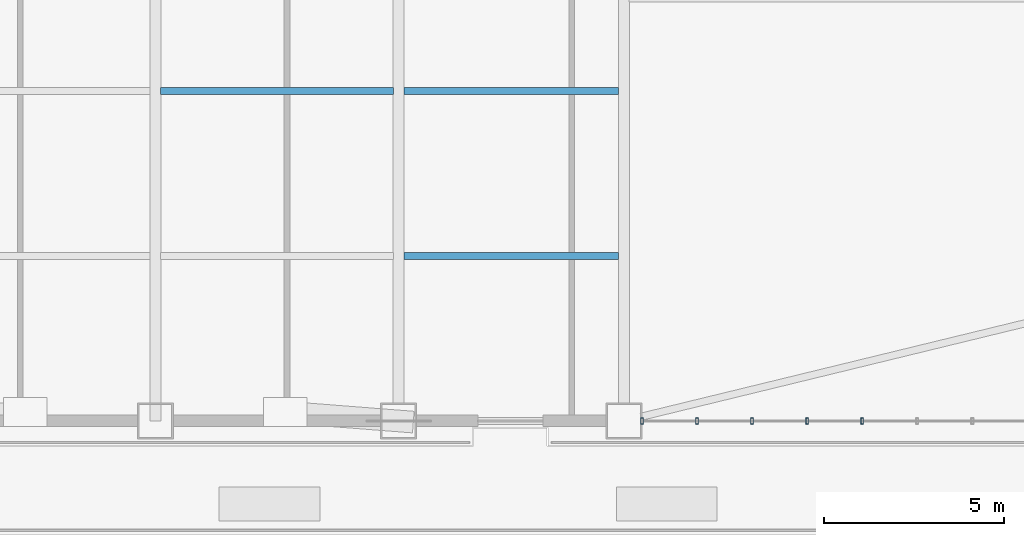
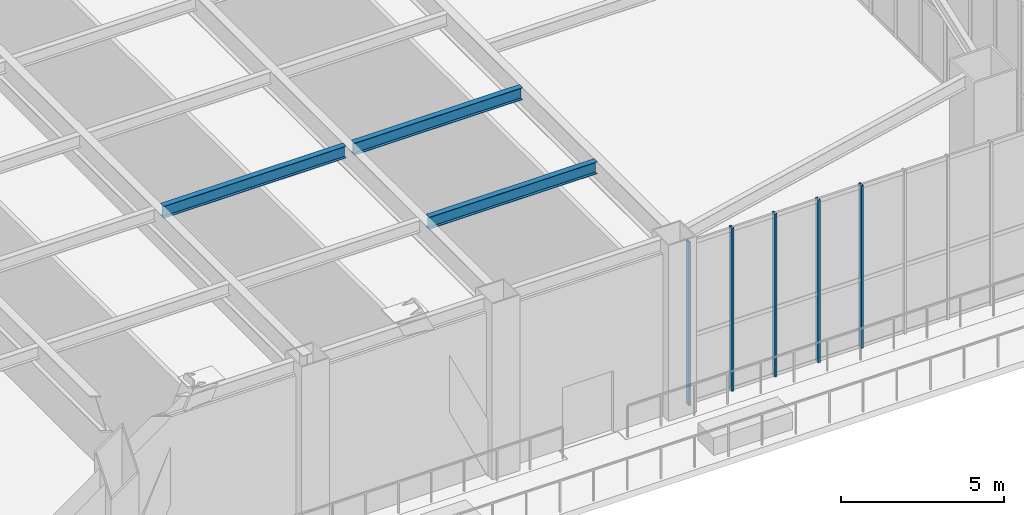
# One storey, part 7 of 22: 5 members, 3 beams, 1 element without a shape of its own.
"""IFC4 building model written with IfcOpenShell, lengths in metres."""

from ifc_helpers import new_model, si_unit, direction, frame, origin, origin_2d, place, context, subcontext, project, spatial, hollow_rectangle, i_section, extrude, source, transform, mapped, material, layer, layer_set, material_profile, profile_set, type_object, element, aggregate, save


model = new_model("IFC4")

# Units and contexts
model_context = context("Model", 3, precision=1e-05, world=origin(), true_north=direction((0.0, 1.0)))
body_context = subcontext(model_context, "Body", "Model", "MODEL_VIEW")
ifc_project = project(units=[si_unit("LENGTHUNIT", "METRE"), si_unit("AREAUNIT", "SQUARE_METRE"), si_unit("VOLUMEUNIT", "CUBIC_METRE"), si_unit("PLANEANGLEUNIT", "RADIAN"), si_unit("MASSUNIT", "GRAM", prefix="KILO")], contexts=[model_context])

# Site, building, storey
site_placement = place(None, origin())
site = spatial("IfcSite", under=ifc_project, at=site_placement, CompositionType="ELEMENT")
building_placement = place(site_placement, origin())
building = spatial("IfcBuilding", under=site, at=building_placement, Name="Giltprow Tower", CompositionType="ELEMENT")
storey_placement = place(building_placement, frame((0.0, 0.0, 72.800048828125)))
storey = spatial("IfcBuildingStorey", under=building, at=storey_placement, Name="L18", CompositionType="ELEMENT", Elevation=72.800048828125)

# Beams
ifc_material_1 = material(Name="Structural steel Q355B", Category="steel")
ifc_material_profile_1 = material_profile(ifc_material_1, i_section(OverallWidth=0.199951171875, OverallDepth=0.449951171875, WebThickness=0.009033203125, FlangeThickness=0.013916015625, at=origin_2d()), Name="HN 450x200x9x14")
ifc_profile_set_1 = profile_set([ifc_material_profile_1], Name="Structural steel Q355B")
beam_type = type_object("IfcBeamType", Name="BM-JOIST-HN450", PredefinedType="JOIST", material=ifc_profile_set_1)
shared_shape_1 = source(origin(), body_context, "Body", "SweptSolid", [
    extrude(i_section(OverallWidth=0.199951171875, OverallDepth=0.449951171875, WebThickness=0.009033203125, FlangeThickness=0.013916015625, at=origin_2d()), origin(), (0.0, 0.0, 1.0), 6.4599609375),
])
beam_placement = place(storey_placement, frame((37.695068359375, 14.56396484375, 6.35498046875), z_axis=(1.0, 0.0, 0.0), x_axis=(0.0, 1.0, 0.0)))
element("IfcBeam", 1, at=beam_placement, inside=storey, type_object=beam_type, Name="L18 Composite Floor Joist 2-3", PredefinedType="JOIST", context=body_context, shape_type="MappedRepresentation", body=[
    mapped(shared_shape_1, transform((0.0, 0.0, 0.0), x_axis=(1.0, 0.0, 0.0), y_axis=(0.0, 1.0, 0.0), z_axis=(0.0, 0.0, 1.0), scale=1.0)),
])
shared_shape_2 = source(origin(), body_context, "Body", "SweptSolid", [
    extrude(i_section(OverallWidth=0.199951171875, OverallDepth=0.449951171875, WebThickness=0.009033203125, FlangeThickness=0.013916015625, at=origin_2d()), origin(), (0.0, 0.0, 1.0), 5.9599609375),
])
for number, where, z_axis, x_axis, name in (
    (2, (44.445068359375, 9.986083984375, 6.35498046875), (1.0, 0.0, 0.0), (0.0, 1.0, 0.0), "L18 Composite Floor Joist 1-4"),
    (3, (44.445068359375, 14.56396484375, 6.35498046875), (1.0, 0.0, 0.0), (0.0, 1.0, 0.0), "L18 Composite Floor Joist 2-4"),
):
    element("IfcBeam", number, at=place(storey_placement, frame(where, z_axis=z_axis, x_axis=x_axis)), inside=storey, type_object=beam_type, Name=name, PredefinedType="JOIST", context=body_context, shape_type="MappedRepresentation", body=[
        mapped(shared_shape_2, transform((0.0, 0.0, 0.0), x_axis=(1.0, 0.0, 0.0), y_axis=(0.0, 1.0, 0.0), z_axis=(0.0, 0.0, 1.0), scale=1.0)),
    ])

# Curtain wall, members
ifc_material_2 = material(Name="Anodized bronze", Category="metal")
ifc_layer = layer(ifc_material_2, 0.179931640625, Name="Anodized bronze")
ifc_layer_set = layer_set([ifc_layer], Name="Anodized bronze")
curtain_wall_type = type_object("IfcCurtainWallType", Name="CW-SKYGARDEN", PredefinedType="NOTDEFINED", material=ifc_layer_set)
curtain_wall_placement = place(storey_placement, origin())
curtain_wall = element("IfcCurtainWall", 4, at=curtain_wall_placement, inside=storey, type_object=curtain_wall_type, Name="L18 South Recessed Curtain Wall 6", PredefinedType="NOTDEFINED")
ifc_material_profile_2 = material_profile(ifc_material_2, hollow_rectangle(XDim=0.074951171875, YDim=0.179931640625, WallThickness=0.008056640625, at=origin_2d()), Name="RHS 180x75x8")
ifc_profile_set_2 = profile_set([ifc_material_profile_2], Name="Anodized bronze")
member_type = type_object("IfcMemberType", Name="CW-MULLION-180x75", PredefinedType="MULLION", material=ifc_profile_set_2)
shared_shape_3 = source(origin(), body_context, "Body", "SweptSolid", [
    extrude(hollow_rectangle(XDim=0.074951171875, YDim=0.179931640625, WallThickness=0.008056640625, at=origin_2d()), origin(), (0.0, 0.0, 1.0), 6.114990234375),
])
member_1_placement = place(storey_placement, frame((51.050048828125, 5.408935546875, -0.02001953125), z_axis=(0.0, 0.0, 1.0), x_axis=(1.0, 0.0, 0.0)))
member_1 = element("IfcMember", 5, at=member_1_placement, type_object=member_type, Name="L18 South Recessed Curtain Wall 6 Mullion 1", PredefinedType="MULLION", context=body_context, shape_type="MappedRepresentation", body=[
    mapped(shared_shape_3, transform((0.0, 0.0, 0.0), x_axis=(1.0, 0.0, 0.0), y_axis=(0.0, 1.0, 0.0), z_axis=(0.0, 0.0, 1.0), scale=1.0)),
])
member_2_placement = place(storey_placement, frame((52.576904296875, 5.408935546875, -0.02001953125), z_axis=(0.0, 0.0, 1.0), x_axis=(1.0, 0.0, 0.0)))
member_2 = element("IfcMember", 6, at=member_2_placement, type_object=member_type, Name="L18 South Recessed Curtain Wall 6 Mullion 2", PredefinedType="MULLION", context=body_context, shape_type="MappedRepresentation", body=[
    mapped(shared_shape_3, transform((0.0, 0.0, 0.0), x_axis=(1.0, 0.0, 0.0), y_axis=(0.0, 1.0, 0.0), z_axis=(0.0, 0.0, 1.0), scale=1.0)),
])
member_3_placement = place(storey_placement, frame((54.10400390625, 5.408935546875, -0.02001953125), z_axis=(0.0, 0.0, 1.0), x_axis=(1.0, 0.0, 0.0)))
member_3 = element("IfcMember", 7, at=member_3_placement, type_object=member_type, Name="L18 South Recessed Curtain Wall 6 Mullion 3", PredefinedType="MULLION", context=body_context, shape_type="MappedRepresentation", body=[
    mapped(shared_shape_3, transform((0.0, 0.0, 0.0), x_axis=(1.0, 0.0, 0.0), y_axis=(0.0, 1.0, 0.0), z_axis=(0.0, 0.0, 1.0), scale=1.0)),
])
member_4_placement = place(storey_placement, frame((55.631103515625, 5.408935546875, -0.02001953125), z_axis=(0.0, 0.0, 1.0), x_axis=(1.0, 0.0, 0.0)))
member_4 = element("IfcMember", 8, at=member_4_placement, type_object=member_type, Name="L18 South Recessed Curtain Wall 6 Mullion 4", PredefinedType="MULLION", context=body_context, shape_type="MappedRepresentation", body=[
    mapped(shared_shape_3, transform((0.0, 0.0, 0.0), x_axis=(1.0, 0.0, 0.0), y_axis=(0.0, 1.0, 0.0), z_axis=(0.0, 0.0, 1.0), scale=1.0)),
])
member_5_placement = place(storey_placement, frame((57.156982421875, 5.408935546875, -0.02001953125), z_axis=(0.0, 0.0, 1.0), x_axis=(1.0, 0.0, 0.0)))
member_5 = element("IfcMember", 9, at=member_5_placement, type_object=member_type, Name="L18 South Recessed Curtain Wall 6 Mullion 5", PredefinedType="MULLION", context=body_context, shape_type="MappedRepresentation", body=[
    mapped(shared_shape_3, transform((0.0, 0.0, 0.0), x_axis=(1.0, 0.0, 0.0), y_axis=(0.0, 1.0, 0.0), z_axis=(0.0, 0.0, 1.0), scale=1.0)),
])
aggregate(curtain_wall, [member_1, member_2, member_3, member_4, member_5])

save(model, "model.ifc")
